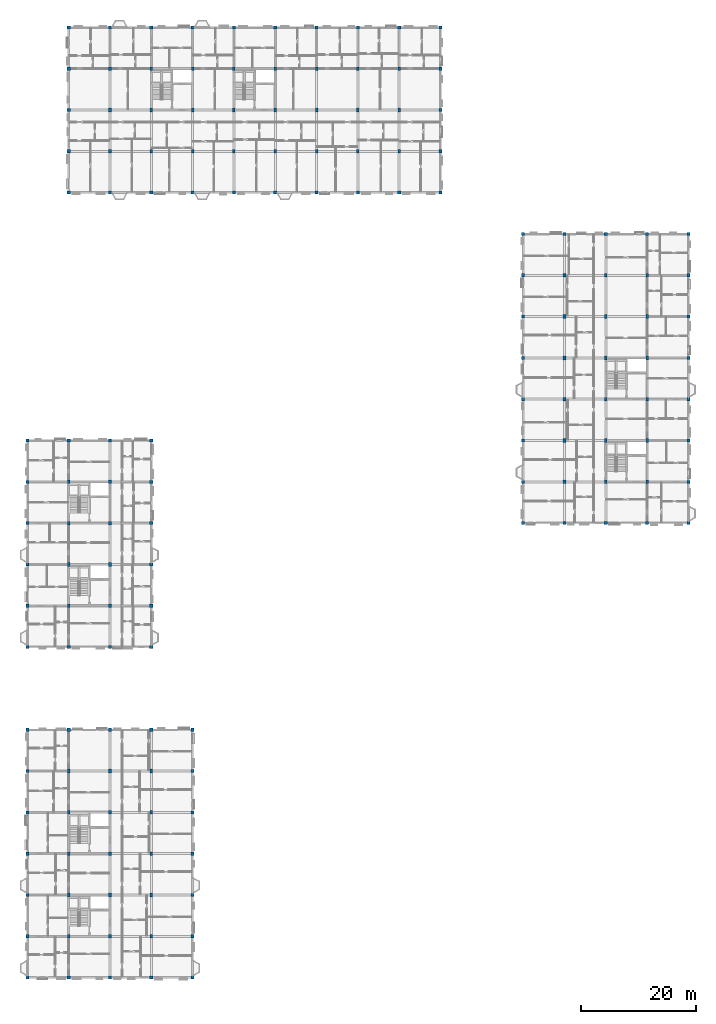
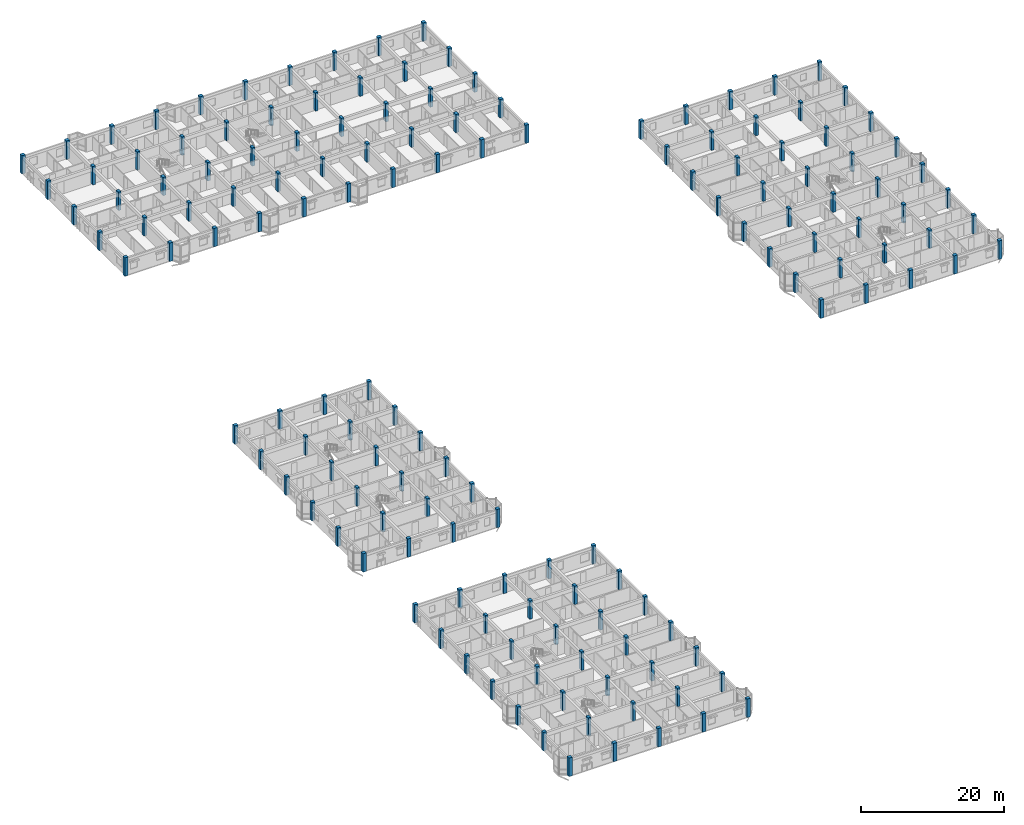
# One storey, part 1 of 79: 149 columns.
"""IFC4 building model written with IfcOpenShell, lengths in metres."""

from ifc_helpers import new_model, si_unit, direction, frame, origin, origin_2d, place, context, subcontext, project, spatial, rectangle, extrude, material, material_profile, profile_set, type_object, element, save


model = new_model("IFC4")

# Units and contexts
model_context = context("Model", 3, precision=1e-05, world=origin(), true_north=direction((0.0, 1.0)))
body_context = subcontext(model_context, "Body", "Model", "MODEL_VIEW")
ifc_project = project(units=[si_unit("LENGTHUNIT", "METRE"), si_unit("AREAUNIT", "SQUARE_METRE"), si_unit("VOLUMEUNIT", "CUBIC_METRE"), si_unit("PLANEANGLEUNIT", "RADIAN"), si_unit("MASSUNIT", "GRAM", prefix="KILO"), si_unit("THERMODYNAMICTEMPERATUREUNIT", "KELVIN"), si_unit("POWERUNIT", "WATT")], contexts=[model_context])

# Site, building, storey
site_placement = place(None, origin())
site = spatial("IfcSite", under=ifc_project, at=site_placement, CompositionType="ELEMENT")
building_placement = place(site_placement, origin())
building = spatial("IfcBuilding", under=site, at=building_placement, Name="Tavuni Mirador Residences", CompositionType="ELEMENT")
storey_placement = place(building_placement, frame((0.0, 0.0, 13.949951171875)))
storey = spatial("IfcBuildingStorey", under=building, at=storey_placement, Name="L04", CompositionType="ELEMENT", Elevation=13.949951171875)

# Columns
ifc_material = material(Name="Precast concrete C40/50", Category="concrete")
ifc_material_profile_1 = material_profile(ifc_material, rectangle(XDim=0.449951171875, YDim=0.64990234375, at=origin_2d()), Name="RC 450x650", Category="concrete")
ifc_profile_set_1 = profile_set([ifc_material_profile_1], Name="Precast concrete C40/50")
column_type_1 = type_object("IfcColumnType", Name="CT-RC450X650", PredefinedType="COLUMN", material=ifc_profile_set_1)
for number, where, z_axis, x_axis, name in (
    (1, (10.800048828125, 14.39990234375, 0.0), (0.0, 0.0, 1.0), (1.0, 0.0, 0.0), "COL-BLK-A-L04-01-01"),
    (2, (10.800048828125, 21.60009765625, 0.0), (0.0, 0.0, 1.0), (1.0, 0.0, 0.0), "COL-BLK-A-L04-01-02"),
    (3, (10.800048828125, 28.800048828125, 0.0), (0.0, 0.0, 1.0), (1.0, 0.0, 0.0), "COL-BLK-A-L04-01-03"),
    (4, (10.800048828125, 36.0, 0.0), (0.0, 0.0, 1.0), (1.0, 0.0, 0.0), "COL-BLK-A-L04-01-04"),
    (5, (10.800048828125, 43.199951171875, 0.0), (0.0, 0.0, 1.0), (1.0, 0.0, 0.0), "COL-BLK-A-L04-01-05"),
    (6, (18.0, 14.39990234375, 0.0), (0.0, 0.0, 1.0), (1.0, 0.0, 0.0), "COL-BLK-A-L04-02-01"),
    (7, (18.0, 21.60009765625, 0.0), (0.0, 0.0, 1.0), (1.0, 0.0, 0.0), "COL-BLK-A-L04-02-02"),
    (8, (18.0, 28.800048828125, 0.0), (0.0, 0.0, 1.0), (1.0, 0.0, 0.0), "COL-BLK-A-L04-02-03"),
    (9, (18.0, 36.0, 0.0), (0.0, 0.0, 1.0), (1.0, 0.0, 0.0), "COL-BLK-A-L04-02-04"),
    (10, (18.0, 43.199951171875, 0.0), (0.0, 0.0, 1.0), (1.0, 0.0, 0.0), "COL-BLK-A-L04-02-05"),
    (11, (25.199951171875, 14.39990234375, 0.0), (0.0, 0.0, 1.0), (1.0, 0.0, 0.0), "COL-BLK-A-L04-03-01"),
    (12, (25.199951171875, 21.60009765625, 0.0), (0.0, 0.0, 1.0), (1.0, 0.0, 0.0), "COL-BLK-A-L04-03-02"),
    (13, (25.199951171875, 28.800048828125, 0.0), (0.0, 0.0, 1.0), (1.0, 0.0, 0.0), "COL-BLK-A-L04-03-03"),
    (14, (25.199951171875, 36.0, 0.0), (0.0, 0.0, 1.0), (1.0, 0.0, 0.0), "COL-BLK-A-L04-03-04"),
    (15, (25.199951171875, 43.199951171875, 0.0), (0.0, 0.0, 1.0), (1.0, 0.0, 0.0), "COL-BLK-A-L04-03-05"),
    (16, (10.800048828125, 72.0, 0.0), (0.0, 0.0, 1.0), (1.0, 0.0, 0.0), "COL-BLK-B-L04-01-01"),
    (17, (10.800048828125, 79.199951171875, 0.0), (0.0, 0.0, 1.0), (1.0, 0.0, 0.0), "COL-BLK-B-L04-01-02"),
    (18, (10.800048828125, 86.39990234375, 0.0), (0.0, 0.0, 1.0), (1.0, 0.0, 0.0), "COL-BLK-B-L04-01-03"),
    (19, (10.800048828125, 93.60009765625, 0.0), (0.0, 0.0, 1.0), (1.0, 0.0, 0.0), "COL-BLK-B-L04-01-04"),
    (20, (18.0, 72.0, 0.0), (0.0, 0.0, 1.0), (1.0, 0.0, 0.0), "COL-BLK-B-L04-02-01"),
    (21, (18.0, 79.199951171875, 0.0), (0.0, 0.0, 1.0), (1.0, 0.0, 0.0), "COL-BLK-B-L04-02-02"),
    (22, (18.0, 86.39990234375, 0.0), (0.0, 0.0, 1.0), (1.0, 0.0, 0.0), "COL-BLK-B-L04-02-03"),
    (23, (18.0, 93.60009765625, 0.0), (0.0, 0.0, 1.0), (1.0, 0.0, 0.0), "COL-BLK-B-L04-02-04"),
    (24, (18.0, 151.199951171875, 0.0), (0.0, 0.0, 1.0), (1.0, 0.0, 0.0), "COL-BLK-C-L04-01-01"),
    (25, (18.0, 158.39990234375, 0.0), (0.0, 0.0, 1.0), (1.0, 0.0, 0.0), "COL-BLK-C-L04-01-02"),
    (26, (18.0, 165.60009765625, 0.0), (0.0, 0.0, 1.0), (1.0, 0.0, 0.0), "COL-BLK-C-L04-01-03"),
    (27, (25.199951171875, 151.199951171875, 0.0), (0.0, 0.0, 1.0), (1.0, 0.0, 0.0), "COL-BLK-C-L04-02-01"),
    (28, (25.199951171875, 158.39990234375, 0.0), (0.0, 0.0, 1.0), (1.0, 0.0, 0.0), "COL-BLK-C-L04-02-02"),
    (29, (25.199951171875, 165.60009765625, 0.0), (0.0, 0.0, 1.0), (1.0, 0.0, 0.0), "COL-BLK-C-L04-02-03"),
    (30, (32.39990234375, 151.199951171875, 0.0), (0.0, 0.0, 1.0), (1.0, 0.0, 0.0), "COL-BLK-C-L04-03-01"),
    (31, (32.39990234375, 158.39990234375, 0.0), (0.0, 0.0, 1.0), (1.0, 0.0, 0.0), "COL-BLK-C-L04-03-02"),
    (32, (32.39990234375, 165.60009765625, 0.0), (0.0, 0.0, 1.0), (1.0, 0.0, 0.0), "COL-BLK-C-L04-03-03"),
    (33, (39.60009765625, 151.199951171875, 0.0), (0.0, 0.0, 1.0), (1.0, 0.0, 0.0), "COL-BLK-C-L04-04-01"),
    (34, (39.60009765625, 158.39990234375, 0.0), (0.0, 0.0, 1.0), (1.0, 0.0, 0.0), "COL-BLK-C-L04-04-02"),
    (35, (39.60009765625, 165.60009765625, 0.0), (0.0, 0.0, 1.0), (1.0, 0.0, 0.0), "COL-BLK-C-L04-04-03"),
    (36, (46.800048828125, 151.199951171875, 0.0), (0.0, 0.0, 1.0), (1.0, 0.0, 0.0), "COL-BLK-C-L04-05-01"),
    (37, (46.800048828125, 158.39990234375, 0.0), (0.0, 0.0, 1.0), (1.0, 0.0, 0.0), "COL-BLK-C-L04-05-02"),
    (38, (46.800048828125, 165.60009765625, 0.0), (0.0, 0.0, 1.0), (1.0, 0.0, 0.0), "COL-BLK-C-L04-05-03"),
    (39, (54.0, 151.199951171875, 0.0), (0.0, 0.0, 1.0), (1.0, 0.0, 0.0), "COL-BLK-C-L04-06-01"),
    (40, (54.0, 158.39990234375, 0.0), (0.0, 0.0, 1.0), (1.0, 0.0, 0.0), "COL-BLK-C-L04-06-02"),
    (41, (54.0, 165.60009765625, 0.0), (0.0, 0.0, 1.0), (1.0, 0.0, 0.0), "COL-BLK-C-L04-06-03"),
    (42, (61.199951171875, 151.199951171875, 0.0), (0.0, 0.0, 1.0), (1.0, 0.0, 0.0), "COL-BLK-C-L04-07-01"),
    (43, (61.199951171875, 158.39990234375, 0.0), (0.0, 0.0, 1.0), (1.0, 0.0, 0.0), "COL-BLK-C-L04-07-02"),
    (44, (61.199951171875, 165.60009765625, 0.0), (0.0, 0.0, 1.0), (1.0, 0.0, 0.0), "COL-BLK-C-L04-07-03"),
    (45, (68.39990234375, 151.199951171875, 0.0), (0.0, 0.0, 1.0), (1.0, 0.0, 0.0), "COL-BLK-C-L04-08-01"),
    (46, (68.39990234375, 158.39990234375, 0.0), (0.0, 0.0, 1.0), (1.0, 0.0, 0.0), "COL-BLK-C-L04-08-02"),
    (47, (68.39990234375, 165.60009765625, 0.0), (0.0, 0.0, 1.0), (1.0, 0.0, 0.0), "COL-BLK-C-L04-08-03"),
    (48, (97.199951171875, 93.60009765625, 0.0), (0.0, 0.0, 1.0), (1.0, 0.0, 0.0), "COL-BLK-D-L04-01-01"),
    (49, (97.199951171875, 100.800048828125, 0.0), (0.0, 0.0, 1.0), (1.0, 0.0, 0.0), "COL-BLK-D-L04-01-02"),
    (50, (97.199951171875, 108.0, 0.0), (0.0, 0.0, 1.0), (1.0, 0.0, 0.0), "COL-BLK-D-L04-01-03"),
    (51, (97.199951171875, 115.199951171875, 0.0), (0.0, 0.0, 1.0), (1.0, 0.0, 0.0), "COL-BLK-D-L04-01-04"),
    (52, (97.199951171875, 122.39990234375, 0.0), (0.0, 0.0, 1.0), (1.0, 0.0, 0.0), "COL-BLK-D-L04-01-05"),
    (53, (97.199951171875, 129.60009765625, 0.0), (0.0, 0.0, 1.0), (1.0, 0.0, 0.0), "COL-BLK-D-L04-01-06"),
    (54, (104.39990234375, 93.60009765625, 0.0), (0.0, 0.0, 1.0), (1.0, 0.0, 0.0), "COL-BLK-D-L04-02-01"),
    (55, (104.39990234375, 100.800048828125, 0.0), (0.0, 0.0, 1.0), (1.0, 0.0, 0.0), "COL-BLK-D-L04-02-02"),
    (56, (104.39990234375, 108.0, 0.0), (0.0, 0.0, 1.0), (1.0, 0.0, 0.0), "COL-BLK-D-L04-02-03"),
    (57, (104.39990234375, 115.199951171875, 0.0), (0.0, 0.0, 1.0), (1.0, 0.0, 0.0), "COL-BLK-D-L04-02-04"),
    (58, (104.39990234375, 122.39990234375, 0.0), (0.0, 0.0, 1.0), (1.0, 0.0, 0.0), "COL-BLK-D-L04-02-05"),
    (59, (104.39990234375, 129.60009765625, 0.0), (0.0, 0.0, 1.0), (1.0, 0.0, 0.0), "COL-BLK-D-L04-02-06"),
    (60, (111.60009765625, 93.60009765625, 0.0), (0.0, 0.0, 1.0), (1.0, 0.0, 0.0), "COL-BLK-D-L04-03-01"),
    (61, (111.60009765625, 100.800048828125, 0.0), (0.0, 0.0, 1.0), (1.0, 0.0, 0.0), "COL-BLK-D-L04-03-02"),
    (62, (111.60009765625, 108.0, 0.0), (0.0, 0.0, 1.0), (1.0, 0.0, 0.0), "COL-BLK-D-L04-03-03"),
    (63, (111.60009765625, 115.199951171875, 0.0), (0.0, 0.0, 1.0), (1.0, 0.0, 0.0), "COL-BLK-D-L04-03-04"),
    (64, (111.60009765625, 122.39990234375, 0.0), (0.0, 0.0, 1.0), (1.0, 0.0, 0.0), "COL-BLK-D-L04-03-05"),
    (65, (111.60009765625, 129.60009765625, 0.0), (0.0, 0.0, 1.0), (1.0, 0.0, 0.0), "COL-BLK-D-L04-03-06"),
):
    element("IfcColumn", number, at=place(storey_placement, frame(where, z_axis=z_axis, x_axis=x_axis)), inside=storey, type_object=column_type_1, Name=name, PredefinedType="COLUMN", context=body_context, shape_type="SweptSolid", body=[
        extrude(rectangle(XDim=0.449951171875, YDim=0.64990234375, at=origin_2d()), origin(), (0.0, 0.0, 1.0), 3.150146484375),
    ])
ifc_material_profile_2 = material_profile(ifc_material, rectangle(XDim=0.550048828125, YDim=0.550048828125, at=origin_2d()), Name="RC 550x550", Category="concrete")
ifc_profile_set_2 = profile_set([ifc_material_profile_2], Name="Precast concrete C40/50")
column_type_2 = type_object("IfcColumnType", Name="CT-RC550", PredefinedType="COLUMN", material=ifc_profile_set_2)
for number, where, z_axis, x_axis, name in (
    (66, (3.60009765625, 7.199951171875, 0.0), (0.0, 0.0, 1.0), (1.0, 0.0, 0.0), "COL-BLK-A-L04-00-00"),
    (67, (3.60009765625, 14.39990234375, 0.0), (0.0, 0.0, 1.0), (1.0, 0.0, 0.0), "COL-BLK-A-L04-00-01"),
    (68, (3.60009765625, 21.60009765625, 0.0), (0.0, 0.0, 1.0), (1.0, 0.0, 0.0), "COL-BLK-A-L04-00-02"),
    (69, (3.60009765625, 28.800048828125, 0.0), (0.0, 0.0, 1.0), (1.0, 0.0, 0.0), "COL-BLK-A-L04-00-03"),
    (70, (3.60009765625, 36.0, 0.0), (0.0, 0.0, 1.0), (1.0, 0.0, 0.0), "COL-BLK-A-L04-00-04"),
    (71, (3.60009765625, 43.199951171875, 0.0), (0.0, 0.0, 1.0), (1.0, 0.0, 0.0), "COL-BLK-A-L04-00-05"),
    (72, (3.60009765625, 50.39990234375, 0.0), (0.0, 0.0, 1.0), (1.0, 0.0, 0.0), "COL-BLK-A-L04-00-06"),
    (73, (10.800048828125, 7.199951171875, 0.0), (0.0, 0.0, 1.0), (1.0, 0.0, 0.0), "COL-BLK-A-L04-01-00"),
    (74, (10.800048828125, 50.39990234375, 0.0), (0.0, 0.0, 1.0), (1.0, 0.0, 0.0), "COL-BLK-A-L04-01-06"),
    (75, (18.0, 7.199951171875, 0.0), (0.0, 0.0, 1.0), (1.0, 0.0, 0.0), "COL-BLK-A-L04-02-00"),
    (76, (18.0, 50.39990234375, 0.0), (0.0, 0.0, 1.0), (1.0, 0.0, 0.0), "COL-BLK-A-L04-02-06"),
    (77, (25.199951171875, 7.199951171875, 0.0), (0.0, 0.0, 1.0), (1.0, 0.0, 0.0), "COL-BLK-A-L04-03-00"),
    (78, (25.199951171875, 50.39990234375, 0.0), (0.0, 0.0, 1.0), (1.0, 0.0, 0.0), "COL-BLK-A-L04-03-06"),
    (79, (32.39990234375, 7.199951171875, 0.0), (0.0, 0.0, 1.0), (1.0, 0.0, 0.0), "COL-BLK-A-L04-04-00"),
    (80, (32.39990234375, 14.39990234375, 0.0), (0.0, 0.0, 1.0), (1.0, 0.0, 0.0), "COL-BLK-A-L04-04-01"),
    (81, (32.39990234375, 21.60009765625, 0.0), (0.0, 0.0, 1.0), (1.0, 0.0, 0.0), "COL-BLK-A-L04-04-02"),
    (82, (32.39990234375, 28.800048828125, 0.0), (0.0, 0.0, 1.0), (1.0, 0.0, 0.0), "COL-BLK-A-L04-04-03"),
    (83, (32.39990234375, 36.0, 0.0), (0.0, 0.0, 1.0), (1.0, 0.0, 0.0), "COL-BLK-A-L04-04-04"),
    (84, (32.39990234375, 43.199951171875, 0.0), (0.0, 0.0, 1.0), (1.0, 0.0, 0.0), "COL-BLK-A-L04-04-05"),
    (85, (32.39990234375, 50.39990234375, 0.0), (0.0, 0.0, 1.0), (1.0, 0.0, 0.0), "COL-BLK-A-L04-04-06"),
    (86, (3.60009765625, 64.800048828125, 0.0), (0.0, 0.0, 1.0), (1.0, 0.0, 0.0), "COL-BLK-B-L04-00-00"),
    (87, (3.60009765625, 72.0, 0.0), (0.0, 0.0, 1.0), (1.0, 0.0, 0.0), "COL-BLK-B-L04-00-01"),
    (88, (3.60009765625, 79.199951171875, 0.0), (0.0, 0.0, 1.0), (1.0, 0.0, 0.0), "COL-BLK-B-L04-00-02"),
    (89, (3.60009765625, 86.39990234375, 0.0), (0.0, 0.0, 1.0), (1.0, 0.0, 0.0), "COL-BLK-B-L04-00-03"),
    (90, (3.60009765625, 93.60009765625, 0.0), (0.0, 0.0, 1.0), (1.0, 0.0, 0.0), "COL-BLK-B-L04-00-04"),
    (91, (3.60009765625, 100.800048828125, 0.0), (0.0, 0.0, 1.0), (1.0, 0.0, 0.0), "COL-BLK-B-L04-00-05"),
    (92, (10.800048828125, 64.800048828125, 0.0), (0.0, 0.0, 1.0), (1.0, 0.0, 0.0), "COL-BLK-B-L04-01-00"),
    (93, (10.800048828125, 100.800048828125, 0.0), (0.0, 0.0, 1.0), (1.0, 0.0, 0.0), "COL-BLK-B-L04-01-05"),
    (94, (18.0, 64.800048828125, 0.0), (0.0, 0.0, 1.0), (1.0, 0.0, 0.0), "COL-BLK-B-L04-02-00"),
    (95, (18.0, 100.800048828125, 0.0), (0.0, 0.0, 1.0), (1.0, 0.0, 0.0), "COL-BLK-B-L04-02-05"),
    (96, (25.199951171875, 64.800048828125, 0.0), (0.0, 0.0, 1.0), (1.0, 0.0, 0.0), "COL-BLK-B-L04-03-00"),
    (97, (25.199951171875, 72.0, 0.0), (0.0, 0.0, 1.0), (1.0, 0.0, 0.0), "COL-BLK-B-L04-03-01"),
    (98, (25.199951171875, 79.199951171875, 0.0), (0.0, 0.0, 1.0), (1.0, 0.0, 0.0), "COL-BLK-B-L04-03-02"),
    (99, (25.199951171875, 86.39990234375, 0.0), (0.0, 0.0, 1.0), (1.0, 0.0, 0.0), "COL-BLK-B-L04-03-03"),
    (100, (25.199951171875, 93.60009765625, 0.0), (0.0, 0.0, 1.0), (1.0, 0.0, 0.0), "COL-BLK-B-L04-03-04"),
    (101, (25.199951171875, 100.800048828125, 0.0), (0.0, 0.0, 1.0), (1.0, 0.0, 0.0), "COL-BLK-B-L04-03-05"),
    (102, (10.800048828125, 144.0, 0.0), (0.0, 0.0, 1.0), (1.0, 0.0, 0.0), "COL-BLK-C-L04-00-00"),
    (103, (10.800048828125, 151.199951171875, 0.0), (0.0, 0.0, 1.0), (1.0, 0.0, 0.0), "COL-BLK-C-L04-00-01"),
    (104, (10.800048828125, 158.39990234375, 0.0), (0.0, 0.0, 1.0), (1.0, 0.0, 0.0), "COL-BLK-C-L04-00-02"),
    (105, (10.800048828125, 165.60009765625, 0.0), (0.0, 0.0, 1.0), (1.0, 0.0, 0.0), "COL-BLK-C-L04-00-03"),
    (106, (10.800048828125, 172.800048828125, 0.0), (0.0, 0.0, 1.0), (1.0, 0.0, 0.0), "COL-BLK-C-L04-00-04"),
    (107, (18.0, 144.0, 0.0), (0.0, 0.0, 1.0), (1.0, 0.0, 0.0), "COL-BLK-C-L04-01-00"),
    (108, (18.0, 172.800048828125, 0.0), (0.0, 0.0, 1.0), (1.0, 0.0, 0.0), "COL-BLK-C-L04-01-04"),
    (109, (25.199951171875, 144.0, 0.0), (0.0, 0.0, 1.0), (1.0, 0.0, 0.0), "COL-BLK-C-L04-02-00"),
    (110, (25.199951171875, 172.800048828125, 0.0), (0.0, 0.0, 1.0), (1.0, 0.0, 0.0), "COL-BLK-C-L04-02-04"),
    (111, (32.39990234375, 144.0, 0.0), (0.0, 0.0, 1.0), (1.0, 0.0, 0.0), "COL-BLK-C-L04-03-00"),
    (112, (32.39990234375, 172.800048828125, 0.0), (0.0, 0.0, 1.0), (1.0, 0.0, 0.0), "COL-BLK-C-L04-03-04"),
    (113, (39.60009765625, 144.0, 0.0), (0.0, 0.0, 1.0), (1.0, 0.0, 0.0), "COL-BLK-C-L04-04-00"),
    (114, (39.60009765625, 172.800048828125, 0.0), (0.0, 0.0, 1.0), (1.0, 0.0, 0.0), "COL-BLK-C-L04-04-04"),
    (115, (46.800048828125, 144.0, 0.0), (0.0, 0.0, 1.0), (1.0, 0.0, 0.0), "COL-BLK-C-L04-05-00"),
    (116, (46.800048828125, 172.800048828125, 0.0), (0.0, 0.0, 1.0), (1.0, 0.0, 0.0), "COL-BLK-C-L04-05-04"),
    (117, (54.0, 144.0, 0.0), (0.0, 0.0, 1.0), (1.0, 0.0, 0.0), "COL-BLK-C-L04-06-00"),
    (118, (54.0, 172.800048828125, 0.0), (0.0, 0.0, 1.0), (1.0, 0.0, 0.0), "COL-BLK-C-L04-06-04"),
    (119, (61.199951171875, 144.0, 0.0), (0.0, 0.0, 1.0), (1.0, 0.0, 0.0), "COL-BLK-C-L04-07-00"),
    (120, (61.199951171875, 172.800048828125, 0.0), (0.0, 0.0, 1.0), (1.0, 0.0, 0.0), "COL-BLK-C-L04-07-04"),
    (121, (68.39990234375, 144.0, 0.0), (0.0, 0.0, 1.0), (1.0, 0.0, 0.0), "COL-BLK-C-L04-08-00"),
    (122, (68.39990234375, 172.800048828125, 0.0), (0.0, 0.0, 1.0), (1.0, 0.0, 0.0), "COL-BLK-C-L04-08-04"),
    (123, (75.60009765625, 144.0, 0.0), (0.0, 0.0, 1.0), (1.0, 0.0, 0.0), "COL-BLK-C-L04-09-00"),
    (124, (75.60009765625, 151.199951171875, 0.0), (0.0, 0.0, 1.0), (1.0, 0.0, 0.0), "COL-BLK-C-L04-09-01"),
    (125, (75.60009765625, 158.39990234375, 0.0), (0.0, 0.0, 1.0), (1.0, 0.0, 0.0), "COL-BLK-C-L04-09-02"),
    (126, (75.60009765625, 165.60009765625, 0.0), (0.0, 0.0, 1.0), (1.0, 0.0, 0.0), "COL-BLK-C-L04-09-03"),
    (127, (75.60009765625, 172.800048828125, 0.0), (0.0, 0.0, 1.0), (1.0, 0.0, 0.0), "COL-BLK-C-L04-09-04"),
    (128, (90.0, 86.39990234375, 0.0), (0.0, 0.0, 1.0), (1.0, 0.0, 0.0), "COL-BLK-D-L04-00-00"),
    (129, (90.0, 93.60009765625, 0.0), (0.0, 0.0, 1.0), (1.0, 0.0, 0.0), "COL-BLK-D-L04-00-01"),
    (130, (90.0, 100.800048828125, 0.0), (0.0, 0.0, 1.0), (1.0, 0.0, 0.0), "COL-BLK-D-L04-00-02"),
    (131, (90.0, 108.0, 0.0), (0.0, 0.0, 1.0), (1.0, 0.0, 0.0), "COL-BLK-D-L04-00-03"),
    (132, (90.0, 115.199951171875, 0.0), (0.0, 0.0, 1.0), (1.0, 0.0, 0.0), "COL-BLK-D-L04-00-04"),
    (133, (90.0, 122.39990234375, 0.0), (0.0, 0.0, 1.0), (1.0, 0.0, 0.0), "COL-BLK-D-L04-00-05"),
    (134, (90.0, 129.60009765625, 0.0), (0.0, 0.0, 1.0), (1.0, 0.0, 0.0), "COL-BLK-D-L04-00-06"),
    (135, (90.0, 136.800048828125, 0.0), (0.0, 0.0, 1.0), (1.0, 0.0, 0.0), "COL-BLK-D-L04-00-07"),
    (136, (97.199951171875, 86.39990234375, 0.0), (0.0, 0.0, 1.0), (1.0, 0.0, 0.0), "COL-BLK-D-L04-01-00"),
    (137, (97.199951171875, 136.800048828125, 0.0), (0.0, 0.0, 1.0), (1.0, 0.0, 0.0), "COL-BLK-D-L04-01-07"),
    (138, (104.39990234375, 86.39990234375, 0.0), (0.0, 0.0, 1.0), (1.0, 0.0, 0.0), "COL-BLK-D-L04-02-00"),
    (139, (104.39990234375, 136.800048828125, 0.0), (0.0, 0.0, 1.0), (1.0, 0.0, 0.0), "COL-BLK-D-L04-02-07"),
    (140, (111.60009765625, 86.39990234375, 0.0), (0.0, 0.0, 1.0), (1.0, 0.0, 0.0), "COL-BLK-D-L04-03-00"),
    (141, (111.60009765625, 136.800048828125, 0.0), (0.0, 0.0, 1.0), (1.0, 0.0, 0.0), "COL-BLK-D-L04-03-07"),
    (142, (118.800048828125, 86.39990234375, 0.0), (0.0, 0.0, 1.0), (1.0, 0.0, 0.0), "COL-BLK-D-L04-04-00"),
    (143, (118.800048828125, 93.60009765625, 0.0), (0.0, 0.0, 1.0), (1.0, 0.0, 0.0), "COL-BLK-D-L04-04-01"),
    (144, (118.800048828125, 100.800048828125, 0.0), (0.0, 0.0, 1.0), (1.0, 0.0, 0.0), "COL-BLK-D-L04-04-02"),
    (145, (118.800048828125, 108.0, 0.0), (0.0, 0.0, 1.0), (1.0, 0.0, 0.0), "COL-BLK-D-L04-04-03"),
    (146, (118.800048828125, 115.199951171875, 0.0), (0.0, 0.0, 1.0), (1.0, 0.0, 0.0), "COL-BLK-D-L04-04-04"),
    (147, (118.800048828125, 122.39990234375, 0.0), (0.0, 0.0, 1.0), (1.0, 0.0, 0.0), "COL-BLK-D-L04-04-05"),
    (148, (118.800048828125, 129.60009765625, 0.0), (0.0, 0.0, 1.0), (1.0, 0.0, 0.0), "COL-BLK-D-L04-04-06"),
    (149, (118.800048828125, 136.800048828125, 0.0), (0.0, 0.0, 1.0), (1.0, 0.0, 0.0), "COL-BLK-D-L04-04-07"),
):
    element("IfcColumn", number, at=place(storey_placement, frame(where, z_axis=z_axis, x_axis=x_axis)), inside=storey, type_object=column_type_2, Name=name, PredefinedType="COLUMN", context=body_context, shape_type="SweptSolid", body=[
        extrude(rectangle(XDim=0.550048828125, YDim=0.550048828125, at=origin_2d()), origin(), (0.0, 0.0, 1.0), 3.150146484375),
    ])

save(model, "model.ifc")
